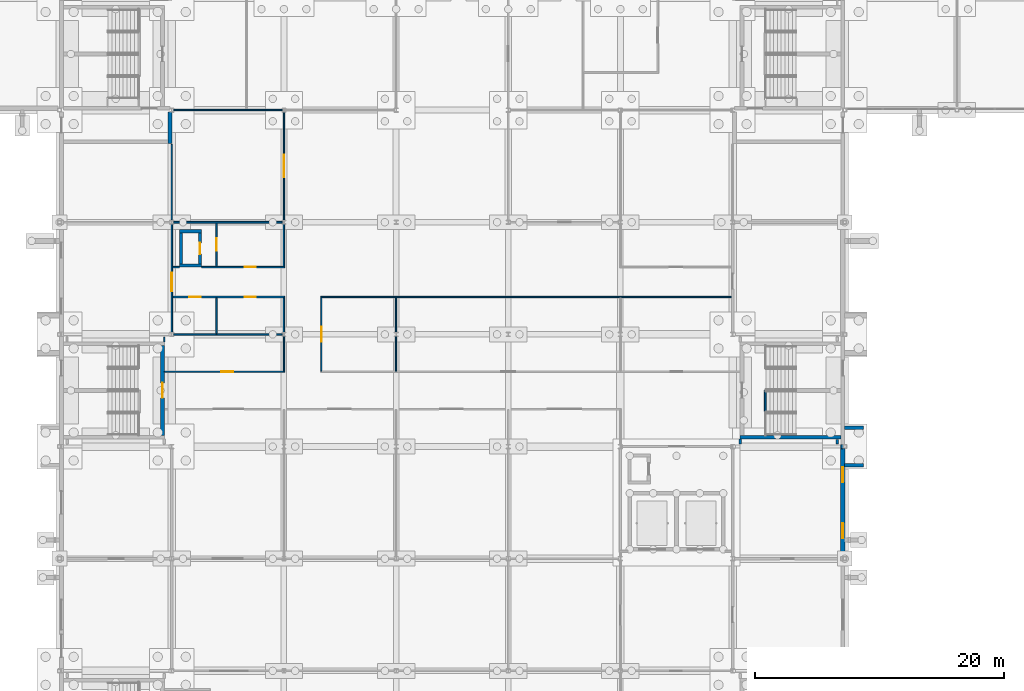
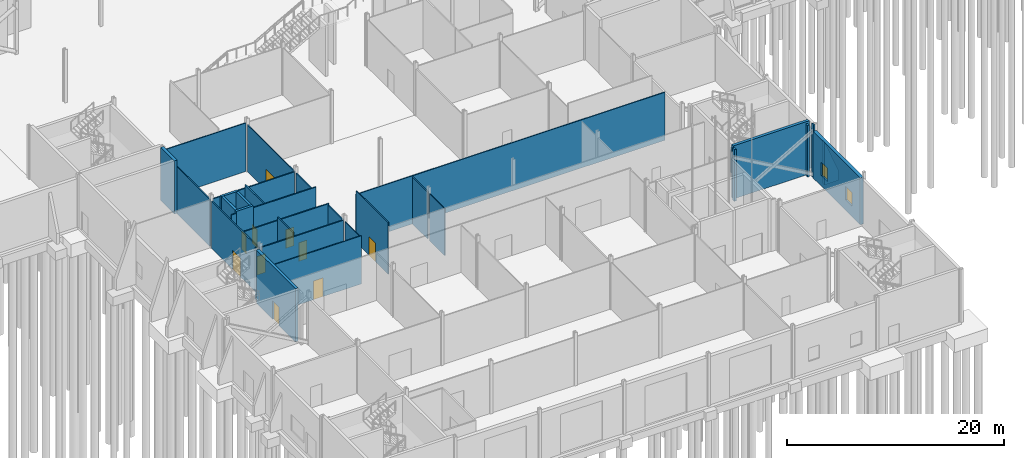
# One storey, part 102 of 139: 34 walls, 10 doors, 2 windows, 12 openings.
"""IFC4 building model written with IfcOpenShell, lengths in metres."""

from ifc_helpers import new_model, si_unit, direction, frame, frame_2d, origin, place, context, subcontext, project, spatial, polyline, rectangle, outline, extrude, material, layer, layer_set, type_object, element, fill, save


model = new_model("IFC4")

# Units and contexts
model_context = context("Model", 3, precision=1e-05, world=origin(), true_north=direction((0.0, 1.0)))
body_context = subcontext(model_context, "Body", "Model", "MODEL_VIEW")
ifc_project = project(units=[si_unit("LENGTHUNIT", "METRE"), si_unit("AREAUNIT", "SQUARE_METRE"), si_unit("VOLUMEUNIT", "CUBIC_METRE"), si_unit("PLANEANGLEUNIT", "RADIAN"), si_unit("MASSUNIT", "GRAM", prefix="KILO")], contexts=[model_context])

# Site, building, storey
site_placement = place(None, origin())
site = spatial("IfcSite", under=ifc_project, at=site_placement, CompositionType="ELEMENT")
building_placement = place(site_placement, origin())
building = spatial("IfcBuilding", under=site, at=building_placement, Name="Shorebreak Coast Museum", CompositionType="ELEMENT")
storey_placement = place(building_placement, origin())
storey = spatial("IfcBuildingStorey", under=building, at=storey_placement, Name="L00", CompositionType="ELEMENT", Elevation=0.0)

# Walls
ifc_material_1 = material(Name="Concrete N50 (50 MPa)", Category="concrete")
ifc_layer_1 = layer(ifc_material_1, 0.14990234375)
ifc_layer_set_1 = layer_set([ifc_layer_1], Name="Concrete N50 (50 MPa)")
wall_type_1 = type_object("IfcWallType", Name="Column closure panel 150", PredefinedType="SOLIDWALL", material=ifc_layer_set_1)
wall_1_placement = place(storey_placement, frame((116.77490234375, 26.827880859375, 0.0), z_axis=(0.0, 0.0, 1.0), x_axis=(0.0, 1.0, 0.0)))
element("IfcWall", 1, at=wall_1_placement, inside=storey, type_object=wall_type_1, Name="Column closure panel L00 E 14D", PredefinedType="SOLIDWALL", context=body_context, shape_type="SweptSolid", body=[
    extrude(rectangle(XDim=0.322021484375, YDim=0.14990234375, at=frame_2d((0.1611328125, 0.0))), origin(), (0.0, 0.0, 1.0), 6.0),
])
ifc_material_2 = material(Name="Concrete masonry", Category="masonry")
ifc_layer_2 = layer(ifc_material_2, 0.199951171875)
ifc_layer_set_2 = layer_set([ifc_layer_2], Name="Concrete masonry")
wall_type_2 = type_object("IfcWallType", Name="Fire wall 200", PredefinedType="PARTITIONING", material=ifc_layer_set_2)
wall_2_placement = place(storey_placement, frame((108.60009765625, 27.219970703125, 0.0), z_axis=(0.0, 0.0, 1.0), x_axis=(0.0, 1.0, 0.0)))
element("IfcWall", 2, at=wall_2_placement, inside=storey, type_object=wall_type_2, Name="Partition L00-156", PredefinedType="PARTITIONING", context=body_context, shape_type="SweptSolid", body=[
    extrude(rectangle(XDim=0.380126953125, YDim=0.199951171875, at=frame_2d((0.18994140625, 0.0))), origin(), (0.0, 0.0, 1.0), 5.824951171875),
])
wall_3_placement = place(storey_placement, frame((116.39990234375, 27.219970703125, 0.0), z_axis=(0.0, 0.0, 1.0), x_axis=(0.0, 1.0, 0.0)))
element("IfcWall", 3, at=wall_3_placement, inside=storey, type_object=wall_type_2, Name="Partition L00-162", PredefinedType="PARTITIONING", context=body_context, shape_type="SweptSolid", body=[
    extrude(rectangle(XDim=0.330078125, YDim=0.199951171875, at=frame_2d((0.1650390625, 0.0))), origin(), (0.0, 0.0, 1.0), 5.824951171875),
])

# Wall, opening, door
ifc_material_3 = material(Name="Plasterboard on steel stud", Category="steel")
ifc_layer_3 = layer(ifc_material_3, 0.10009765625)
ifc_layer_set_3 = layer_set([ifc_layer_3], Name="Plasterboard on steel stud")
wall_type_3 = type_object("IfcWallType", Name="Partition 100", PredefinedType="PARTITIONING", material=ifc_layer_set_3)
wall_4_placement = place(storey_placement, frame((62.39990234375, 33.0, 0.0), z_axis=(0.0, 0.0, 1.0), x_axis=(1.0, 0.0, 0.0)))
wall_4 = element("IfcWall", 4, at=wall_4_placement, inside=storey, type_object=wall_type_3, Name="Partition L00-018", PredefinedType="PARTITIONING", context=body_context, shape_type="SweptSolid", body=[
    extrude(rectangle(XDim=9.650146484375, YDim=0.10009765625, at=frame_2d((4.8251953125, 0.0))), origin(), (0.0, 0.0, 1.0), 5.42236328125),
])
opening_1_placement = place(wall_4_placement, frame((4.550048828125, 0.0, 0.0)))
opening_1 = element("IfcOpeningElement", 5, at=opening_1_placement, cuts=wall_4, Name="Opening D0013", PredefinedType="OPENING", context=body_context, shape_type="SweptSolid", body=[
    extrude(rectangle(XDim=1.0, YDim=2.10009765625, at=frame_2d((0.5, 1.050048828125))), frame((0.0, 0.06005859375, 0.0), z_axis=(0.0, -1.0, 0.0), x_axis=(1.0, 0.0, 0.0)), (0.0, 0.0, 1.0), 0.1201171875),
])
ifc_material_4 = material(Name="Timber", Category="wood")
door_type_1 = type_object("IfcDoorType", Name="Interior door 1000x2100", OperationType="SINGLE_SWING_LEFT", PredefinedType="DOOR", material=ifc_material_4)
door_1_placement = place(opening_1_placement, origin())
door_1 = element("IfcDoor", 6, at=door_1_placement, inside=storey, type_object=door_type_1, Name="Door D0013 Services Store 0.01", OperationType="SINGLE_SWING_LEFT", OverallHeight=2.10009765625, OverallWidth=1.0, PredefinedType="DOOR", context=body_context, shape_type="SweptSolid", body=[
    extrude(rectangle(XDim=1.0, YDim=2.10009765625, at=frame_2d((0.5, 1.050048828125))), frame((0.0, 0.02490234375, 0.0), z_axis=(0.0, -1.0, 0.0), x_axis=(1.0, 0.0, 0.0)), (0.0, 0.0, 1.0), 0.050048828125),
])
fill(opening_1, door_1)

# Walls
wall_5_placement = place(storey_placement, frame((74.949951171875, 39.0, 0.0), z_axis=(0.0, 0.0, 1.0), x_axis=(1.0, 0.0, 0.0)))
element("IfcWall", 7, at=wall_5_placement, inside=storey, type_object=wall_type_3, Name="Partition L00-022", PredefinedType="PARTITIONING", context=body_context, shape_type="SweptSolid", body=[
    extrude(rectangle(XDim=32.949951171875, YDim=0.10009765625, at=frame_2d((16.47509765625, 0.0))), origin(), (0.0, 0.0, 1.0), 5.42236328125),
])
wall_6_placement = place(storey_placement, frame((63.154541015625, 54.0, 0.0), z_axis=(0.0, 0.0, 1.0), x_axis=(1.0, 0.0, 0.0)))
element("IfcWall", 8, at=wall_6_placement, inside=storey, type_object=wall_type_3, Name="Partition L00-030", PredefinedType="PARTITIONING", context=body_context, shape_type="SweptSolid", body=[
    extrude(rectangle(XDim=8.69091796875, YDim=0.10009765625, at=frame_2d((4.345458984375, 0.0))), origin(), (0.0, 0.0, 1.0), 5.46630859375),
])
wall_7_placement = place(storey_placement, frame((62.39990234375, 35.39990234375, 0.0), z_axis=(0.0, 0.0, 1.0), x_axis=(0.0, 1.0, 0.0)))
element("IfcWall", 9, at=wall_7_placement, inside=storey, type_object=wall_type_3, Name="Partition L00-100", PredefinedType="PARTITIONING", context=body_context, shape_type="SweptSolid", body=[
    extrude(rectangle(XDim=0.380126953125, YDim=0.10009765625, at=frame_2d((0.18994140625, 0.0))), origin(), (0.0, 0.0, 1.0), 5.824951171875),
])
wall_8_placement = place(storey_placement, frame((63.0, 45.160400390625, 0.0), z_axis=(0.0, 0.0, 1.0), x_axis=(0.0, 1.0, 0.0)))
element("IfcWall", 10, at=wall_8_placement, inside=storey, type_object=wall_type_3, Name="Partition L00-104", PredefinedType="PARTITIONING", context=body_context, shape_type="SweptSolid", body=[
    extrude(rectangle(XDim=6.089599609375, YDim=0.10009765625, at=frame_2d((3.044921875, 0.0))), origin(), (0.0, 0.0, 1.0), 5.2919921875),
])
wall_9_placement = place(storey_placement, frame((72.0, 33.050048828125, 0.0), z_axis=(0.0, 0.0, 1.0), x_axis=(0.0, 1.0, 0.0)))
element("IfcWall", 11, at=wall_9_placement, inside=storey, type_object=wall_type_3, Name="Partition L00-115", PredefinedType="PARTITIONING", context=body_context, shape_type="SweptSolid", body=[
    extrude(rectangle(XDim=2.78955078125, YDim=0.10009765625, at=frame_2d((1.394775390625, 0.0))), origin(), (0.0, 0.0, 1.0), 5.2919921875),
])

# Wall, opening, door
wall_10_placement = place(storey_placement, frame((72.0, 45.160400390625, 0.0), z_axis=(0.0, 0.0, 1.0), x_axis=(0.0, 1.0, 0.0)))
wall_10 = element("IfcWall", 12, at=wall_10_placement, inside=storey, type_object=wall_type_3, Name="Partition L00-118", PredefinedType="PARTITIONING", context=body_context, shape_type="SweptSolid", body=[
    extrude(rectangle(XDim=8.67919921875, YDim=0.10009765625, at=frame_2d((4.339599609375, 0.0))), origin(), (0.0, 0.0, 1.0), 5.2919921875),
])
opening_2_placement = place(wall_10_placement, frame((3.449951171875, 0.0, 0.0)))
opening_2 = element("IfcOpeningElement", 13, at=opening_2_placement, cuts=wall_10, Name="Opening D0023", PredefinedType="OPENING", context=body_context, shape_type="SweptSolid", body=[
    extrude(rectangle(XDim=1.800048828125, YDim=2.39990234375, at=frame_2d((0.89990234375, 1.199951171875))), frame((0.0, 0.06005859375, 0.0), z_axis=(0.0, -1.0, 0.0), x_axis=(1.0, 0.0, 0.0)), (0.0, 0.0, 1.0), 0.1201171875),
])
ifc_material_5 = material(Name="Timber", Category="wood")
door_type_2 = type_object("IfcDoorType", Name="Interior door 1800x2400", OperationType="DOUBLE_DOOR_SINGLE_SWING", PredefinedType="DOOR", material=ifc_material_5)
door_2_placement = place(opening_2_placement, origin())
door_2 = element("IfcDoor", 14, at=door_2_placement, inside=storey, type_object=door_type_2, Name="Door D0023 Museum Shop Store", OperationType="DOUBLE_DOOR_SINGLE_SWING", OverallHeight=2.39990234375, OverallWidth=1.800048828125, PredefinedType="DOOR", context=body_context, shape_type="SweptSolid", body=[
    extrude(rectangle(XDim=1.800048828125, YDim=2.39990234375, at=frame_2d((0.89990234375, 1.199951171875))), frame((0.0, 0.02490234375, 0.0), z_axis=(0.0, -1.0, 0.0), x_axis=(1.0, 0.0, 0.0)), (0.0, 0.0, 1.0), 0.050048828125),
])
fill(opening_2, door_2)

wall_11_placement = place(storey_placement, frame((75.0, 33.050048828125, 0.0), z_axis=(0.0, 0.0, 1.0), x_axis=(0.0, 1.0, 0.0)))
wall_11 = element("IfcWall", 15, at=wall_11_placement, inside=storey, type_object=wall_type_3, Name="Partition L00-120", PredefinedType="PARTITIONING", context=body_context, shape_type="SweptSolid", body=[
    extrude(rectangle(XDim=5.89990234375, YDim=0.10009765625, at=frame_2d((2.949951171875, 0.0))), origin(), (0.0, 0.0, 1.0), 5.824951171875),
])
opening_3_placement = place(wall_11_placement, frame((2.35009765625, 0.0, 0.0)))
opening_3 = element("IfcOpeningElement", 16, at=opening_3_placement, cuts=wall_11, Name="Opening D0014", PredefinedType="OPENING", context=body_context, shape_type="SweptSolid", body=[
    extrude(rectangle(XDim=1.199951171875, YDim=2.10009765625, at=frame_2d((0.60009765625, 1.050048828125))), frame((0.0, 0.06005859375, 0.0), z_axis=(0.0, -1.0, 0.0), x_axis=(1.0, 0.0, 0.0)), (0.0, 0.0, 1.0), 0.1201171875),
])
ifc_material_6 = material(Name="Timber", Category="wood")
door_type_3 = type_object("IfcDoorType", Name="Interior door 1200x2100", OperationType="SINGLE_SWING_LEFT", PredefinedType="DOOR", material=ifc_material_6)
door_3_placement = place(opening_3_placement, origin())
door_3 = element("IfcDoor", 17, at=door_3_placement, inside=storey, type_object=door_type_3, Name="Door D0014 First Aid", OperationType="SINGLE_SWING_LEFT", OverallHeight=2.10009765625, OverallWidth=1.199951171875, PredefinedType="DOOR", context=body_context, shape_type="SweptSolid", body=[
    extrude(rectangle(XDim=1.199951171875, YDim=2.10009765625, at=frame_2d((0.60009765625, 1.050048828125))), frame((0.0, 0.02490234375, 0.0), z_axis=(0.0, -1.0, 0.0), x_axis=(1.0, 0.0, 0.0)), (0.0, 0.0, 1.0), 0.050048828125),
])
fill(opening_3, door_3)

# Walls
for number, where, z_axis, x_axis, name in (
    (18, (81.0, 33.050048828125, 0.0), (0.0, 0.0, 1.0), (0.0, 1.0, 0.0), "Partition L00-123"),
    (19, (81.0, 36.160400390625, 0.0), (0.0, 0.0, 1.0), (0.0, 1.0, 0.0), "Partition L00-124"),
):
    element("IfcWall", number, at=place(storey_placement, frame(where, z_axis=z_axis, x_axis=x_axis)), inside=storey, type_object=wall_type_3, Name=name, PredefinedType="PARTITIONING", context=body_context, shape_type="SweptSolid", body=[
        extrude(rectangle(XDim=2.78955078125, YDim=0.10009765625, at=frame_2d((1.394775390625, 0.0))), origin(), (0.0, 0.0, 1.0), 5.2919921875),
    ])
ifc_material_7 = material(Name="Plasterboard on steel stud", Category="steel")
ifc_layer_4 = layer(ifc_material_7, 0.125)
ifc_layer_set_4 = layer_set([ifc_layer_4], Name="Plasterboard on steel stud")
wall_type_4 = type_object("IfcWallType", Name="Partition 125", PredefinedType="PARTITIONING", material=ifc_layer_set_4)
wall_12_placement = place(storey_placement, frame((63.154541015625, 36.0, 0.0), z_axis=(0.0, 0.0, 1.0), x_axis=(1.0, 0.0, 0.0)))
element("IfcWall", 20, at=wall_12_placement, inside=storey, type_object=wall_type_4, Name="Partition L00-020", PredefinedType="PARTITIONING", context=body_context, shape_type="SweptSolid", body=[
    extrude(rectangle(XDim=8.69091796875, YDim=0.125, at=frame_2d((4.345458984375, 0.0))), origin(), (0.0, 0.0, 1.0), 5.418701171875),
])

# Wall, openings, doors
wall_13_placement = place(storey_placement, frame((63.0625, 39.0, 0.0), z_axis=(0.0, 0.0, 1.0), x_axis=(1.0, 0.0, 0.0)))
wall_13 = element("IfcWall", 21, at=wall_13_placement, inside=storey, type_object=wall_type_4, Name="Partition L00-021", PredefinedType="PARTITIONING", context=body_context, shape_type="SweptSolid", body=[
    extrude(rectangle(XDim=9.0, YDim=0.125, at=frame_2d((4.5, 0.0))), origin(), (0.0, 0.0, 1.0), 5.42236328125),
])
opening_4_placement = place(wall_13_placement, frame((1.35009765625, 0.0, 0.0)))
opening_4 = element("IfcOpeningElement", 22, at=opening_4_placement, cuts=wall_13, Name="Opening D0019", PredefinedType="OPENING", context=body_context, shape_type="SweptSolid", body=[
    extrude(rectangle(XDim=0.89990234375, YDim=2.10009765625, at=frame_2d((0.449951171875, 1.050048828125))), frame((0.0, 0.072509765625, 0.0), z_axis=(0.0, -1.0, 0.0), x_axis=(1.0, 0.0, 0.0)), (0.0, 0.0, 1.0), 0.14501953125),
])
opening_5_placement = place(wall_13_placement, frame((5.78759765625, 0.0, 0.0)))
opening_5 = element("IfcOpeningElement", 23, at=opening_5_placement, cuts=wall_13, Name="Opening D0020", PredefinedType="OPENING", context=body_context, shape_type="SweptSolid", body=[
    extrude(rectangle(XDim=0.89990234375, YDim=2.10009765625, at=frame_2d((0.449951171875, 1.050048828125))), frame((0.0, 0.072509765625, 0.0), z_axis=(0.0, -1.0, 0.0), x_axis=(1.0, 0.0, 0.0)), (0.0, 0.0, 1.0), 0.14501953125),
])
ifc_material_8 = material(Name="Timber", Category="wood")
door_type_4 = type_object("IfcDoorType", Name="Interior door 900x2100", OperationType="SINGLE_SWING_LEFT", PredefinedType="DOOR", material=ifc_material_8)
door_4_placement = place(opening_4_placement, origin())
door_4 = element("IfcDoor", 24, at=door_4_placement, inside=storey, type_object=door_type_4, Name="Door D0019 Accessible WC S", OperationType="SINGLE_SWING_RIGHT", OverallHeight=2.10009765625, OverallWidth=0.89990234375, PredefinedType="DOOR", context=body_context, shape_type="SweptSolid", body=[
    extrude(rectangle(XDim=0.89990234375, YDim=2.10009765625, at=frame_2d((0.449951171875, 1.050048828125))), frame((0.0, 0.02490234375, 0.0), z_axis=(0.0, -1.0, 0.0), x_axis=(1.0, 0.0, 0.0)), (0.0, 0.0, 1.0), 0.050048828125),
])
fill(opening_4, door_4)
door_5_placement = place(opening_5_placement, origin())
door_5 = element("IfcDoor", 25, at=door_5_placement, inside=storey, type_object=door_type_4, Name="Door D0020 Male WC S", OperationType="SINGLE_SWING_LEFT", OverallHeight=2.10009765625, OverallWidth=0.89990234375, PredefinedType="DOOR", context=body_context, shape_type="SweptSolid", body=[
    extrude(rectangle(XDim=0.89990234375, YDim=2.10009765625, at=frame_2d((0.449951171875, 1.050048828125))), frame((0.0, 0.02490234375, 0.0), z_axis=(0.0, -1.0, 0.0), x_axis=(1.0, 0.0, 0.0)), (0.0, 0.0, 1.0), 0.050048828125),
])
fill(opening_5, door_5)

# Wall
wall_14_placement = place(storey_placement, frame((63.0625, 41.39990234375, 0.0), z_axis=(0.0, 0.0, 1.0), x_axis=(1.0, 0.0, 0.0)))
element("IfcWall", 26, at=wall_14_placement, inside=storey, type_object=wall_type_4, Name="Partition L00-023", PredefinedType="PARTITIONING", context=body_context, shape_type="SweptSolid", body=[
    extrude(rectangle(XDim=0.53759765625, YDim=0.125, at=frame_2d((0.268798828125, 0.0))), origin(), (0.0, 0.0, 1.0), 5.824951171875),
])

# Wall, opening, door
wall_15_placement = place(storey_placement, frame((65.39990234375, 41.39990234375, 0.0), z_axis=(0.0, 0.0, 1.0), x_axis=(1.0, 0.0, 0.0)))
wall_15 = element("IfcWall", 27, at=wall_15_placement, inside=storey, type_object=wall_type_4, Name="Partition L00-024", PredefinedType="PARTITIONING", context=body_context, shape_type="SweptSolid", body=[
    extrude(rectangle(XDim=6.66259765625, YDim=0.125, at=frame_2d((3.331298828125, 0.0))), origin(), (0.0, 0.0, 1.0), 5.824951171875),
])
opening_6_placement = place(wall_15_placement, frame((3.449951171875, 0.0, 0.0)))
opening_6 = element("IfcOpeningElement", 28, at=opening_6_placement, cuts=wall_15, Name="Opening D0018", PredefinedType="OPENING", context=body_context, shape_type="SweptSolid", body=[
    extrude(rectangle(XDim=0.89990234375, YDim=2.10009765625, at=frame_2d((0.449951171875, 1.050048828125))), frame((0.0, 0.072509765625, 0.0), z_axis=(0.0, -1.0, 0.0), x_axis=(1.0, 0.0, 0.0)), (0.0, 0.0, 1.0), 0.14501953125),
])
door_6_placement = place(opening_6_placement, origin())
door_6 = element("IfcDoor", 29, at=door_6_placement, inside=storey, type_object=door_type_4, Name="Door D0018 Female WC S", OperationType="SINGLE_SWING_LEFT", OverallHeight=2.10009765625, OverallWidth=0.89990234375, PredefinedType="DOOR", context=body_context, shape_type="SweptSolid", body=[
    extrude(rectangle(XDim=0.89990234375, YDim=2.10009765625, at=frame_2d((0.449951171875, 1.050048828125))), frame((0.0, 0.02490234375, 0.0), z_axis=(0.0, -1.0, 0.0), x_axis=(1.0, 0.0, 0.0)), (0.0, 0.0, 1.0), 0.050048828125),
])
fill(opening_6, door_6)

# Wall
wall_16_placement = place(storey_placement, frame((63.154541015625, 45.0, 0.0), z_axis=(0.0, 0.0, 1.0), x_axis=(1.0, 0.0, 0.0)))
element("IfcWall", 30, at=wall_16_placement, inside=storey, type_object=wall_type_4, Name="Partition L00-027", PredefinedType="PARTITIONING", context=body_context, shape_type="SweptSolid", body=[
    extrude(rectangle(XDim=8.69091796875, YDim=0.125, at=frame_2d((4.345458984375, 0.0))), origin(), (0.0, 0.0, 1.0), 5.418701171875),
])

# Wall, opening, door
wall_17_placement = place(storey_placement, frame((63.0, 36.160400390625, 0.0), z_axis=(0.0, 0.0, 1.0), x_axis=(0.0, 1.0, 0.0)))
wall_17 = element("IfcWall", 31, at=wall_17_placement, inside=storey, type_object=wall_type_4, Name="Partition L00-103", PredefinedType="PARTITIONING", context=body_context, shape_type="SweptSolid", body=[
    extrude(rectangle(XDim=8.67919921875, YDim=0.125, at=frame_2d((4.339599609375, 0.0))), origin(), (0.0, 0.0, 1.0), 5.2919921875),
])
opening_7_placement = place(wall_17_placement, frame((3.289794921875, 0.0, 0.0)))
opening_7 = element("IfcOpeningElement", 32, at=opening_7_placement, cuts=wall_17, Name="Opening D0021", PredefinedType="OPENING", context=body_context, shape_type="SweptSolid", body=[
    extrude(rectangle(XDim=1.5, YDim=2.10009765625, at=frame_2d((0.75, 1.050048828125))), frame((0.0, 0.072509765625, 0.0), z_axis=(0.0, -1.0, 0.0), x_axis=(1.0, 0.0, 0.0)), (0.0, 0.0, 1.0), 0.14501953125),
])
ifc_material_9 = material(Name="Timber", Category="wood")
door_type_5 = type_object("IfcDoorType", Name="Interior door 1500x2100", OperationType="DOUBLE_DOOR_SINGLE_SWING", PredefinedType="DOOR", material=ifc_material_9)
door_7_placement = place(opening_7_placement, origin())
door_7 = element("IfcDoor", 33, at=door_7_placement, inside=storey, type_object=door_type_5, Name="Door D0021 Staff Entry", OperationType="DOUBLE_DOOR_SINGLE_SWING", OverallHeight=2.10009765625, OverallWidth=1.5, PredefinedType="DOOR", context=body_context, shape_type="SweptSolid", body=[
    extrude(rectangle(XDim=1.5, YDim=2.10009765625, at=frame_2d((0.75, 1.050048828125))), frame((0.0, 0.02490234375, 0.0), z_axis=(0.0, -1.0, 0.0), x_axis=(1.0, 0.0, 0.0)), (0.0, 0.0, 1.0), 0.050048828125),
])
fill(opening_7, door_7)

# Wall
wall_18_placement = place(storey_placement, frame((66.60009765625, 36.0625, 0.0), z_axis=(0.0, 0.0, 1.0), x_axis=(0.0, 1.0, 0.0)))
element("IfcWall", 34, at=wall_18_placement, inside=storey, type_object=wall_type_4, Name="Partition L00-110", PredefinedType="PARTITIONING", context=body_context, shape_type="SweptSolid", body=[
    extrude(rectangle(XDim=2.875, YDim=0.125, at=frame_2d((1.4375, 0.0))), origin(), (0.0, 0.0, 1.0), 5.824951171875),
])

# Wall, opening, door
wall_19_placement = place(storey_placement, frame((66.60009765625, 41.46240234375, 0.0), z_axis=(0.0, 0.0, 1.0), x_axis=(0.0, 1.0, 0.0)))
wall_19 = element("IfcWall", 35, at=wall_19_placement, inside=storey, type_object=wall_type_4, Name="Partition L00-111", PredefinedType="PARTITIONING", context=body_context, shape_type="SweptSolid", body=[
    extrude(rectangle(XDim=3.47509765625, YDim=0.125, at=frame_2d((1.737548828125, 0.0))), origin(), (0.0, 0.0, 1.0), 5.824951171875),
])
opening_8_placement = place(wall_19_placement, frame((1.25, 0.0, 0.0)))
opening_8 = element("IfcOpeningElement", 36, at=opening_8_placement, cuts=wall_19, Name="Opening D0017", PredefinedType="OPENING", context=body_context, shape_type="SweptSolid", body=[
    extrude(rectangle(XDim=1.0, YDim=2.10009765625, at=frame_2d((0.5, 1.050048828125))), frame((0.0, 0.072509765625, 0.0), z_axis=(0.0, -1.0, 0.0), x_axis=(1.0, 0.0, 0.0)), (0.0, 0.0, 1.0), 0.14501953125),
])
door_8_placement = place(opening_8_placement, origin())
door_8 = element("IfcDoor", 37, at=door_8_placement, inside=storey, type_object=door_type_1, Name="Door D0017 Cleaner Store S", OperationType="SINGLE_SWING_RIGHT", OverallHeight=2.10009765625, OverallWidth=1.0, PredefinedType="DOOR", context=body_context, shape_type="SweptSolid", body=[
    extrude(rectangle(XDim=1.0, YDim=2.10009765625, at=frame_2d((0.5, 1.050048828125))), frame((0.0, 0.02490234375, 0.0), z_axis=(0.0, -1.0, 0.0), x_axis=(1.0, 0.0, 0.0)), (0.0, 0.0, 1.0), 0.050048828125),
])
fill(opening_8, door_8)

# Walls
wall_20_placement = place(storey_placement, frame((72.0, 36.160400390625, 0.0), z_axis=(0.0, 0.0, 1.0), x_axis=(0.0, 1.0, 0.0)))
element("IfcWall", 38, at=wall_20_placement, inside=storey, type_object=wall_type_4, Name="Partition L00-116", PredefinedType="PARTITIONING", context=body_context, shape_type="SweptSolid", body=[
    extrude(rectangle(XDim=2.777099609375, YDim=0.125, at=frame_2d((1.388671875, 0.0))), origin(), (0.0, 0.0, 1.0), 5.2919921875),
])
wall_21_placement = place(storey_placement, frame((72.0, 41.46240234375, 0.0), z_axis=(0.0, 0.0, 1.0), x_axis=(0.0, 1.0, 0.0)))
element("IfcWall", 39, at=wall_21_placement, inside=storey, type_object=wall_type_4, Name="Partition L00-117", PredefinedType="PARTITIONING", context=body_context, shape_type="SweptSolid", body=[
    extrude(rectangle(XDim=3.377197265625, YDim=0.125, at=frame_2d((1.6884765625, 0.0))), origin(), (0.0, 0.0, 1.0), 5.2919921875),
])

# Wall, openings, windows
ifc_material_10 = material(Name="Concrete N50 (50 MPa)", Category="concrete")
ifc_layer_5 = layer(ifc_material_10, 0.35009765625)
ifc_layer_set_5 = layer_set([ifc_layer_5], Name="Concrete N50 (50 MPa)")
wall_type_5 = type_object("IfcWallType", Name="Precast plinth panel 350", PredefinedType="SOLIDWALL", material=ifc_layer_set_5)
wall_22_placement = place(storey_placement, frame((116.85009765625, 18.160888671875, 0.0), z_axis=(0.0, 0.0, 1.0), x_axis=(0.0, 1.0, 0.0)))
wall_22 = element("IfcWall", 40, at=wall_22_placement, inside=storey, type_object=wall_type_5, Name="External wall L00 E 14C", PredefinedType="SOLIDWALL", context=body_context, shape_type="SweptSolid", body=[
    extrude(rectangle(XDim=8.6669921875, YDim=0.35009765625, at=frame_2d((4.33349609375, 0.0))), origin(), (0.0, 0.0, 1.0), 5.2919921875),
])
opening_9_placement = place(wall_22_placement, frame((1.489013671875, 0.0, 1.199951171875)))
opening_9 = element("IfcOpeningElement", 41, at=opening_9_placement, cuts=wall_22, Name="Opening WN0002", PredefinedType="OPENING", context=body_context, shape_type="SweptSolid", body=[
    extrude(rectangle(XDim=1.199951171875, YDim=1.5, at=frame_2d((0.60009765625, 0.75))), frame((0.0, 0.18505859375, 0.0), z_axis=(0.0, -1.0, 0.0), x_axis=(1.0, 0.0, 0.0)), (0.0, 0.0, 1.0), 0.3701171875),
])
opening_10_placement = place(wall_22_placement, frame((5.989013671875, 0.0, 1.199951171875)))
opening_10 = element("IfcOpeningElement", 42, at=opening_10_placement, cuts=wall_22, Name="Opening WN0003", PredefinedType="OPENING", context=body_context, shape_type="SweptSolid", body=[
    extrude(rectangle(XDim=1.199951171875, YDim=1.5, at=frame_2d((0.60009765625, 0.75))), frame((0.0, 0.18505859375, 0.0), z_axis=(0.0, -1.0, 0.0), x_axis=(1.0, 0.0, 0.0)), (0.0, 0.0, 1.0), 0.3701171875),
])
ifc_material_11 = material(Name="Aluminium", Category="aluminium")
window_type = type_object("IfcWindowType", Name="Punched window 1200 x 1500", PartitioningType="SINGLE_PANEL", PredefinedType="WINDOW", material=ifc_material_11)
window_1_placement = place(opening_9_placement, origin())
window_1 = element("IfcWindow", 43, at=window_1_placement, inside=storey, type_object=window_type, Name="Window WN0002", OverallHeight=1.5, OverallWidth=1.199951171875, PartitioningType="SINGLE_PANEL", PredefinedType="WINDOW", context=body_context, shape_type="SweptSolid", body=[
    extrude(rectangle(XDim=1.199951171875, YDim=1.5, at=frame_2d((0.60009765625, 0.75))), frame((0.0, 0.030029296875, 0.0), z_axis=(0.0, -1.0, 0.0), x_axis=(1.0, 0.0, 0.0)), (0.0, 0.0, 1.0), 0.06005859375),
])
fill(opening_9, window_1)
window_2_placement = place(opening_10_placement, origin())
window_2 = element("IfcWindow", 44, at=window_2_placement, inside=storey, type_object=window_type, Name="Window WN0003", OverallHeight=1.5, OverallWidth=1.199951171875, PartitioningType="SINGLE_PANEL", PredefinedType="WINDOW", context=body_context, shape_type="SweptSolid", body=[
    extrude(rectangle(XDim=1.199951171875, YDim=1.5, at=frame_2d((0.60009765625, 0.75))), frame((0.0, 0.030029296875, 0.0), z_axis=(0.0, -1.0, 0.0), x_axis=(1.0, 0.0, 0.0)), (0.0, 0.0, 1.0), 0.06005859375),
])
fill(opening_10, window_2)

# Walls
ifc_material_12 = material(Name="Concrete N50 (50 MPa)", Category="concrete")
ifc_layer_6 = layer(ifc_material_12, 0.25)
ifc_layer_set_6 = layer_set([ifc_layer_6], Name="Concrete N50 (50 MPa)")
wall_type_6 = type_object("IfcWallType", Name="RC riser wall 250", PredefinedType="STANDARD", material=ifc_layer_set_6)
for number, where, z_axis, x_axis, name in (
    (45, (63.60009765625, 41.52490234375, 0.0), (0.0, 0.0, 1.0), (1.0, 0.0, 0.0), "Riser wall R-WC-S L00 S"),
    (46, (63.60009765625, 44.27490234375, 0.0), (0.0, 0.0, 1.0), (1.0, 0.0, 0.0), "Riser wall R-WC-S L00 N"),
):
    element("IfcWall", number, at=place(storey_placement, frame(where, z_axis=z_axis, x_axis=x_axis)), inside=storey, type_object=wall_type_6, Name=name, PredefinedType="STANDARD", context=body_context, shape_type="SweptSolid", body=[
        extrude(rectangle(XDim=1.7998046875, YDim=0.25, at=frame_2d((0.89990234375, 0.0))), origin(), (0.0, 0.0, 1.0), 6.0),
    ])
wall_23_placement = place(storey_placement, frame((63.72509765625, 41.64990234375, 0.0), z_axis=(0.0, 0.0, 1.0), x_axis=(0.0, 1.0, 0.0)))
element("IfcWall", 47, at=wall_23_placement, inside=storey, type_object=wall_type_6, Name="Riser wall R-WC-S L00 W", PredefinedType="STANDARD", context=body_context, shape_type="SweptSolid", body=[
    extrude(rectangle(XDim=2.5, YDim=0.25, at=frame_2d((1.25, 0.0))), origin(), (0.0, 0.0, 1.0), 6.0),
])

# Wall, opening, door
wall_24_placement = place(storey_placement, frame((65.27490234375, 41.64990234375, 0.0), z_axis=(0.0, 0.0, 1.0), x_axis=(0.0, 1.0, 0.0)))
wall_24 = element("IfcWall", 48, at=wall_24_placement, inside=storey, type_object=wall_type_6, Name="Riser wall R-WC-S L00 E", PredefinedType="STANDARD", context=body_context, shape_type="SweptSolid", body=[
    extrude(rectangle(XDim=2.5, YDim=0.25, at=frame_2d((1.25, 0.0))), origin(), (0.0, 0.0, 1.0), 6.0),
])
opening_11_placement = place(wall_24_placement, frame((0.800048828125, 0.0, 0.0)))
opening_11 = element("IfcOpeningElement", 49, at=opening_11_placement, cuts=wall_24, Name="Opening D0605", PredefinedType="OPENING", context=body_context, shape_type="SweptSolid", body=[
    extrude(rectangle(XDim=0.89990234375, YDim=2.10009765625, at=frame_2d((0.449951171875, 1.050048828125))), frame((0.0, 0.135009765625, 0.0), z_axis=(0.0, -1.0, 0.0), x_axis=(1.0, 0.0, 0.0)), (0.0, 0.0, 1.0), 0.27001953125),
])
ifc_material_13 = material(Name="Steel Grade 300", Category="steel")
door_type_6 = type_object("IfcDoorType", Name="Riser door 900x2100", OperationType="SINGLE_SWING_LEFT", PredefinedType="DOOR", material=ifc_material_13)
door_9_placement = place(opening_11_placement, origin())
door_9 = element("IfcDoor", 50, at=door_9_placement, inside=storey, type_object=door_type_6, Name="Riser door R-WC-S L00", OperationType="SINGLE_SWING_LEFT", OverallHeight=2.10009765625, OverallWidth=0.89990234375, PredefinedType="DOOR", context=body_context, shape_type="SweptSolid", body=[
    extrude(rectangle(XDim=0.89990234375, YDim=2.10009765625, at=frame_2d((0.449951171875, 1.050048828125))), frame((0.0, 0.02490234375, 0.0), z_axis=(0.0, -1.0, 0.0), x_axis=(1.0, 0.0, 0.0)), (0.0, 0.0, 1.0), 0.050048828125),
])
fill(opening_11, door_9)

ifc_material_14 = material(Name="Concrete N50 (50 MPa)", Category="concrete")
ifc_layer_7 = layer(ifc_material_14, 0.300048828125)
ifc_layer_set_7 = layer_set([ifc_layer_7], Name="Concrete N50 (50 MPa)")
wall_type_7 = type_object("IfcWallType", Name="RC wall 300", PredefinedType="SHEAR", material=ifc_layer_set_7)
wall_25_placement = place(storey_placement, frame((62.25, 27.89990234375, 0.0), z_axis=(0.0, 0.0, 1.0), x_axis=(0.0, 1.0, 0.0)))
wall_25 = element("IfcWall", 51, at=wall_25_placement, inside=storey, type_object=wall_type_7, Name="Stair core wall ST13 L00 E", PredefinedType="SHEAR", context=body_context, shape_type="SweptSolid", body=[
    extrude(rectangle(XDim=7.2001953125, YDim=0.300048828125, at=frame_2d((3.60009765625, 0.0))), origin(), (0.0, 0.0, 1.0), 6.0),
])
opening_12_placement = place(wall_25_placement, frame((3.0, 0.0, 0.0)))
opening_12 = element("IfcOpeningElement", 52, at=opening_12_placement, cuts=wall_25, Name="Opening D0813", PredefinedType="OPENING", context=body_context, shape_type="SweptSolid", body=[
    extrude(rectangle(XDim=1.199951171875, YDim=2.10009765625, at=frame_2d((0.60009765625, 1.050048828125))), frame((0.0, 0.159912109375, 0.0), z_axis=(0.0, -1.0, 0.0), x_axis=(1.0, 0.0, 0.0)), (0.0, 0.0, 1.0), 0.320068359375),
])
ifc_material_15 = material(Name="Steel Grade 300", Category="steel")
door_type_7 = type_object("IfcDoorType", Name="Fire door 1200x2100", OperationType="SINGLE_SWING_LEFT", PredefinedType="DOOR", material=ifc_material_15)
door_10_placement = place(opening_12_placement, origin())
door_10 = element("IfcDoor", 53, at=door_10_placement, inside=storey, type_object=door_type_7, Name="Stair door ST13 L00", OperationType="SINGLE_SWING_LEFT", OverallHeight=2.10009765625, OverallWidth=1.199951171875, PredefinedType="DOOR", context=body_context, shape_type="SweptSolid", body=[
    extrude(rectangle(XDim=1.199951171875, YDim=2.10009765625, at=frame_2d((0.60009765625, 1.050048828125))), frame((0.0, 0.02490234375, 0.0), z_axis=(0.0, -1.0, 0.0), x_axis=(1.0, 0.0, 0.0)), (0.0, 0.0, 1.0), 0.050048828125),
])
fill(opening_12, door_10)

# Walls
wall_26_placement = place(storey_placement, frame((108.60009765625, 27.75, 0.0), z_axis=(0.0, 0.0, 1.0), x_axis=(1.0, 0.0, 0.0)))
element("IfcWall", 54, at=wall_26_placement, inside=storey, type_object=wall_type_7, Name="Stair core wall ST14 L00 S", PredefinedType="SHEAR", context=body_context, shape_type="SweptSolid", body=[
    extrude(rectangle(XDim=8.099853515625, YDim=0.300048828125, at=frame_2d((4.0498046875, 0.0))), origin(), (0.0, 0.0, 1.0), 6.0),
])
wall_27_placement = place(storey_placement, frame((62.85009765625, 51.300048828125, 0.0), z_axis=(0.0, 0.0, 1.0), x_axis=(0.0, 1.0, 0.0)))
element("IfcWall", 55, at=wall_27_placement, inside=storey, type_object=wall_type_7, Name="Exit passage wall PX1 side", PredefinedType="SHEAR", context=body_context, shape_type="SweptSolid", body=[
    extrude(rectangle(XDim=2.53955078125, YDim=0.300048828125, at=frame_2d((1.269775390625, 0.0))), origin(), (0.0, 0.0, 1.0), 6.0),
])
ifc_material_16 = material(Name="Concrete N50 (50 MPa)", Category="concrete")
ifc_layer_8 = layer(ifc_material_16, 0.300048828125)
ifc_layer_set_8 = layer_set([ifc_layer_8], Name="Concrete N50 (50 MPa)")
wall_type_8 = type_object("IfcWallType", Name="Raked fin 300", PredefinedType="SOLIDWALL", material=ifc_layer_set_8)
wall_28_placement = place(storey_placement, frame((117.0, 25.5, 0.0), z_axis=(0.0, 0.0, 1.0), x_axis=(1.0, 0.0, 0.0)))
element("IfcWall", 56, at=wall_28_placement, inside=storey, type_object=wall_type_8, Name="Raked fin SE42", PredefinedType="SOLIDWALL", context=body_context, shape_type="SweptSolid", body=[
    extrude(outline(polyline([(0.0, 0.0), (1.5, 0.0), (1.5, 1.199951171875), (0.0, 5.0), (0.0, 0.0)])), frame((0.0, 0.14990234375, 0.0), z_axis=(0.0, -1.0, 0.0), x_axis=(1.0, 0.0, 0.0)), (0.0, 0.0, 1.0), 0.300048828125),
])
wall_29_placement = place(storey_placement, frame((117.0, 28.5, 0.0), z_axis=(0.0, 0.0, 1.0), x_axis=(1.0, 0.0, 0.0)))
element("IfcWall", 57, at=wall_29_placement, inside=storey, type_object=wall_type_8, Name="Raked fin SE43", PredefinedType="SOLIDWALL", context=body_context, shape_type="SweptSolid", body=[
    extrude(outline(polyline([(0.0, 0.0), (1.5, 0.0), (1.5, 1.199951171875), (0.0, 5.5), (0.0, 0.0)])), frame((0.0, 0.14990234375, 0.0), z_axis=(0.0, -1.0, 0.0), x_axis=(1.0, 0.0, 0.0)), (0.0, 0.0, 1.0), 0.300048828125),
])
ifc_material_17 = material(Name="Concrete N50 (50 MPa)", Category="concrete")
ifc_layer_9 = layer(ifc_material_17, 0.14990234375)
ifc_layer_set_9 = layer_set([ifc_layer_9], Name="Concrete N50 (50 MPa)")
wall_type_9 = type_object("IfcWallType", Name="Understair wall 150", PredefinedType="STANDARD", material=ifc_layer_set_9)
wall_30_placement = place(storey_placement, frame((110.625, 29.699951171875, 0.0), z_axis=(0.0, 0.0, 1.0), x_axis=(0.0, 1.0, 0.0)))
element("IfcWall", 58, at=wall_30_placement, inside=storey, type_object=wall_type_9, Name="Understair wall ST14 L00 floor", PredefinedType="STANDARD", context=body_context, shape_type="SweptSolid", body=[
    extrude(rectangle(XDim=1.800048828125, YDim=0.14990234375, at=frame_2d((0.89990234375, 0.0))), origin(), (0.0, 0.0, 1.0), 2.800048828125),
])

save(model, "model.ifc")
